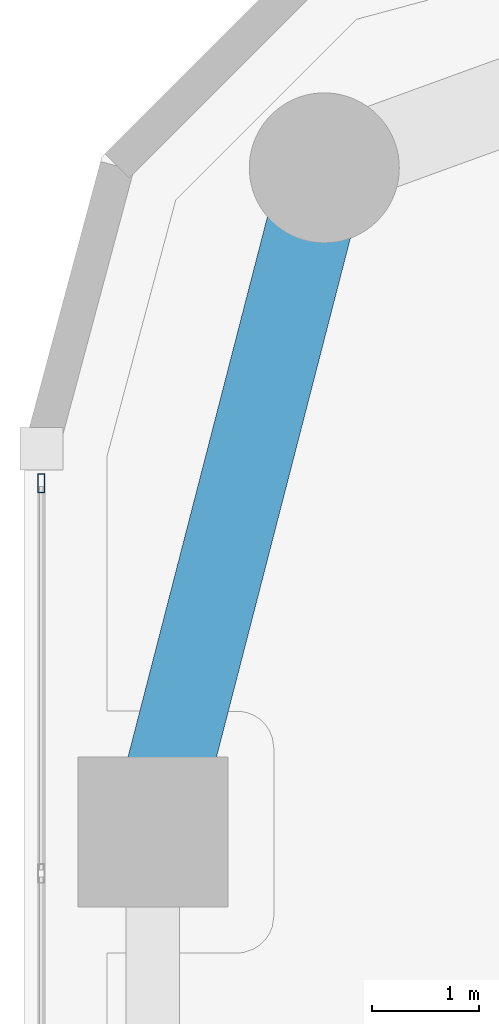
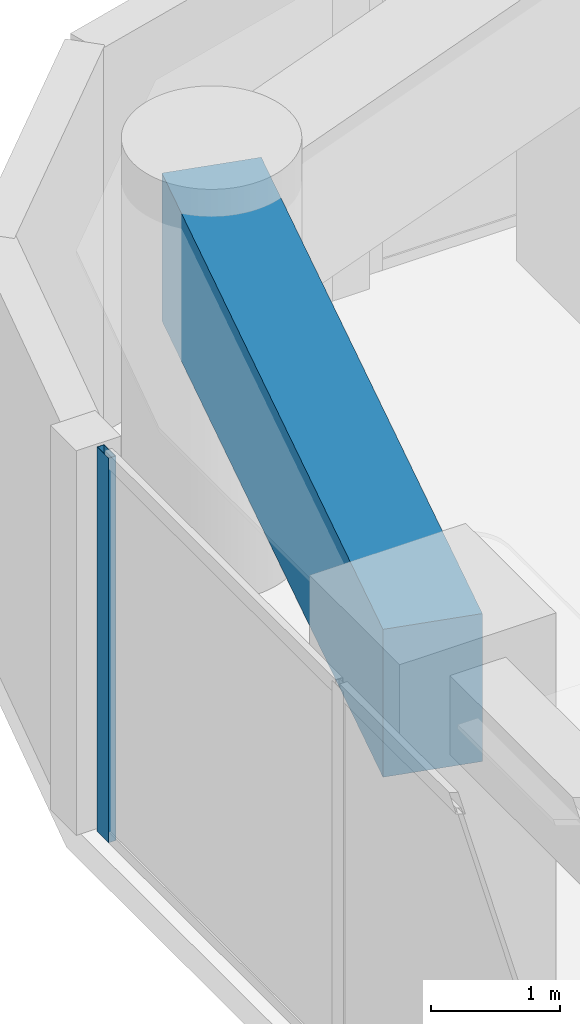
# One storey, part 11 of 24: 1 beam, 1 member, 1 element without a shape of its own.
"""IFC4 building model written with IfcOpenShell, lengths in metres."""

from ifc_helpers import new_model, si_unit, direction, frame, origin, origin_2d, place, context, subcontext, project, spatial, rectangle, hollow_rectangle, extrude, material, layer, layer_set, material_profile, profile_set, type_object, element, aggregate, save


model = new_model("IFC4")

# Units and contexts
model_context = context("Model", 3, precision=1e-05, world=origin(), true_north=direction((0.0, 1.0)))
body_context = subcontext(model_context, "Body", "Model", "MODEL_VIEW")
ifc_project = project(units=[si_unit("LENGTHUNIT", "METRE"), si_unit("AREAUNIT", "SQUARE_METRE"), si_unit("VOLUMEUNIT", "CUBIC_METRE"), si_unit("PLANEANGLEUNIT", "RADIAN"), si_unit("MASSUNIT", "GRAM", prefix="KILO")], contexts=[model_context])

# Site, building, storey
site_placement = place(None, origin())
site = spatial("IfcSite", under=ifc_project, at=site_placement, CompositionType="ELEMENT")
building_placement = place(site_placement, origin())
building = spatial("IfcBuilding", under=site, at=building_placement, Name="Kiyonajd Concourse Tower", CompositionType="ELEMENT")
storey_placement = place(building_placement, frame((0.0, 0.0, 117.0)))
storey = spatial("IfcBuildingStorey", under=building, at=storey_placement, Name="L30", CompositionType="ELEMENT", Elevation=117.0)

# Beam
ifc_material_1 = material(Name="Concrete C60/75", Category="concrete")
ifc_material_profile_1 = material_profile(ifc_material_1, rectangle(XDim=0.800048828125, YDim=1.39990234375, at=origin_2d()), Name="RCBM-800x1400")
ifc_profile_set_1 = profile_set([ifc_material_profile_1], Name="Concrete C60/75")
beam_type = type_object("IfcBeamType", Name="BM-XFER-RC", PredefinedType="BEAM", material=ifc_profile_set_1)
beam_placement = place(storey_placement, frame((20.800048828125, 59.60009765625, 2.93994140625), z_axis=(-0.249884937687, -0.968275538221, 0.0), x_axis=(0.968275538221, -0.249884937687, 0.0)))
element("IfcBeam", 1, at=beam_placement, inside=storey, type_object=beam_type, Name="L30 Perimeter Bundled Tube Spandrel", PredefinedType="BEAM", context=body_context, shape_type="SweptSolid", body=[
    extrude(rectangle(XDim=0.800048828125, YDim=1.39990234375, at=origin_2d()), origin(), (0.0, 0.0, 1.0), 6.4033203125),
])

# Curtain wall, member
ifc_material_2 = material(Name="Thermally Broken Anodised Aluminium", Category="aluminium")
ifc_layer = layer(ifc_material_2, 0.179931640625)
ifc_layer_set = layer_set([ifc_layer], Name="Thermally Broken Anodised Aluminium")
curtain_wall_type = type_object("IfcCurtainWallType", Name="CW-SYS-03", PredefinedType="NOTDEFINED", material=ifc_layer_set)
curtain_wall_placement = place(storey_placement, origin())
curtain_wall = element("IfcCurtainWall", 2, at=curtain_wall_placement, inside=storey, type_object=curtain_wall_type, Name="L30 Unitised Curtain Wall CW3", PredefinedType="NOTDEFINED")
ifc_material_profile_2 = material_profile(ifc_material_2, hollow_rectangle(XDim=0.06494140625, YDim=0.179931640625, WallThickness=0.00390625, at=origin_2d()), Name="MULL-65x180")
ifc_profile_set_2 = profile_set([ifc_material_profile_2], Name="Thermally Broken Anodised Aluminium")
member_type = type_object("IfcMemberType", Name="MB-CW-MULL1", PredefinedType="MULLION", material=ifc_profile_set_2)
member_placement = place(storey_placement, frame((18.159912109375, 56.656494140625, 0.0), z_axis=(0.0, 0.0, 1.0), x_axis=(-1.0, 0.0, 0.0)))
member = element("IfcMember", 3, at=member_placement, type_object=member_type, Name="CW3 mullion 7", PredefinedType="MULLION", context=body_context, shape_type="SweptSolid", body=[
    extrude(hollow_rectangle(XDim=0.06494140625, YDim=0.179931640625, WallThickness=0.00390625, at=origin_2d()), origin(), (0.0, 0.0, 1.0), 3.639892578125),
])
aggregate(curtain_wall, [member])

save(model, "model.ifc")
